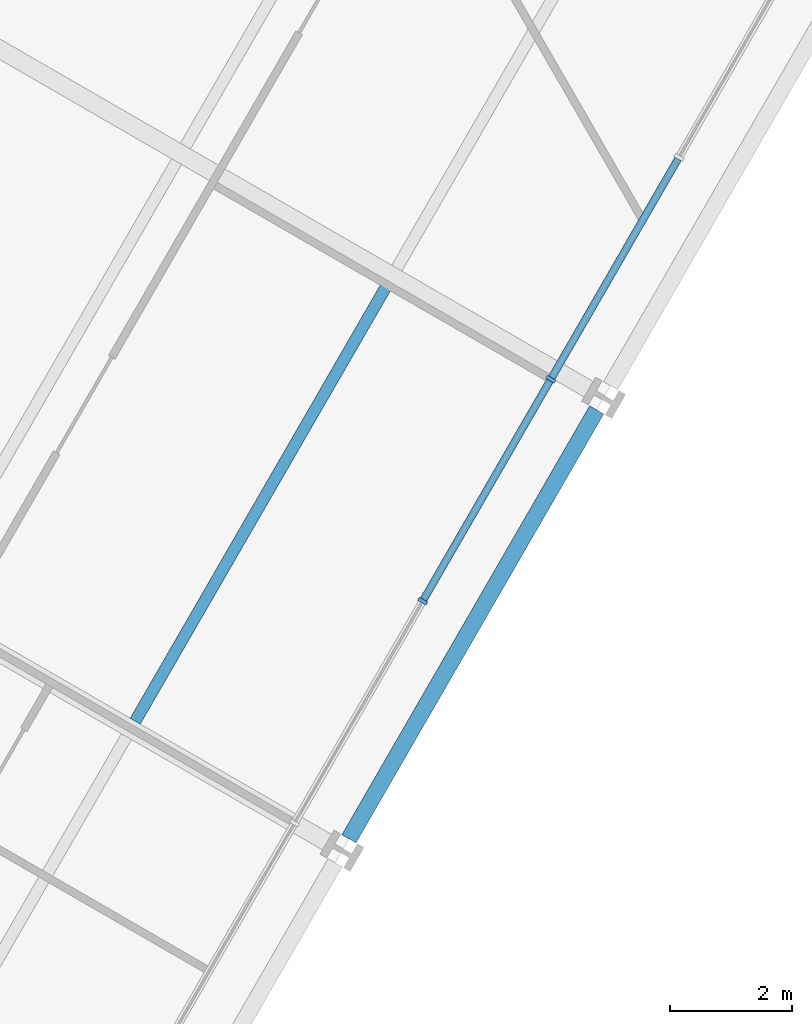
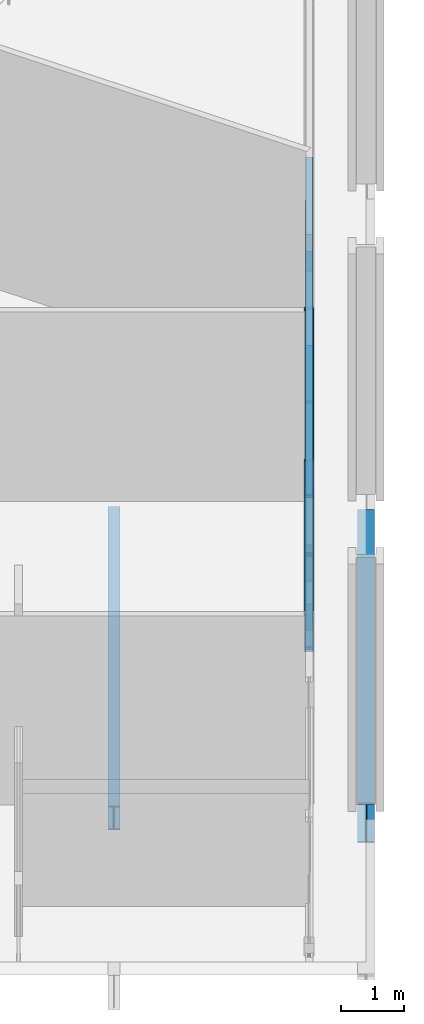
# One storey, part 5 of 18: 8 members, 2 beams, 1 element without a shape of its own.
"""IFC4 building model written with IfcOpenShell, lengths in metres."""

from ifc_helpers import new_model, si_unit, direction, frame, origin, origin_2d, place, context, subcontext, project, spatial, rectangle, i_section, extrude, material, layer, layer_set, material_profile, profile_set, type_object, element, aggregate, save


model = new_model("IFC4")

# Units and contexts
model_context = context("Model", 3, precision=1e-05, world=origin(), true_north=direction((0.0, 1.0)))
body_context = subcontext(model_context, "Body", "Model", "MODEL_VIEW")
ifc_project = project(units=[si_unit("LENGTHUNIT", "METRE"), si_unit("AREAUNIT", "SQUARE_METRE"), si_unit("VOLUMEUNIT", "CUBIC_METRE"), si_unit("PLANEANGLEUNIT", "RADIAN"), si_unit("MASSUNIT", "GRAM", prefix="KILO")], contexts=[model_context])

# Site, building, storey
site_placement = place(None, origin())
site = spatial("IfcSite", under=ifc_project, at=site_placement, CompositionType="ELEMENT")
building_placement = place(site_placement, origin())
building = spatial("IfcBuilding", under=site, at=building_placement, Name="Verrane Prism Tower", CompositionType="ELEMENT")
storey_placement = place(building_placement, frame((0.0, 0.0, 27.199951171875)))
storey = spatial("IfcBuildingStorey", under=building, at=storey_placement, Name="L04", CompositionType="ELEMENT", Elevation=27.199951171875)

# Curtain wall, members
ifc_material_1 = material(Name="Aluminium and glass curtain wall", Category="aluminium")
ifc_layer = layer(ifc_material_1, 0.199951171875)
ifc_layer_set = layer_set([ifc_layer], Name="CWB-1 retail curtain wall")
curtain_wall_type = type_object("IfcCurtainWallType", Name="CWB-1 retail curtain wall", PredefinedType="NOTDEFINED", material=ifc_layer_set)
curtain_wall_placement = place(storey_placement, origin())
curtain_wall = element("IfcCurtainWall", 1, at=curtain_wall_placement, inside=storey, type_object=curtain_wall_type, Name="Retail curtain wall L04 6", PredefinedType="NOTDEFINED")
ifc_material_2 = material(Name="Aluminium", Category="aluminium")
ifc_material_profile_1 = material_profile(ifc_material_2, rectangle(XDim=0.159912109375, YDim=0.06005859375, at=origin_2d()), Name="CWB-M 60x160 mullion")
ifc_profile_set_1 = profile_set([ifc_material_profile_1], Name="Aluminium")
member_type_1 = type_object("IfcMemberType", Name="CWB-M 60x160 mullion", PredefinedType="MULLION", material=ifc_profile_set_1)
member_1_placement = place(storey_placement, frame((19.64990234375, -6.505126953125, 0.0), z_axis=(0.0, 0.0, 1.0), x_axis=(-0.866025335097, 0.50000011897, 0.0)))
member_1 = element("IfcMember", 2, at=member_1_placement, type_object=member_type_1, Name="CWB46 mullion 8", PredefinedType="MULLION", context=body_context, shape_type="SweptSolid", body=[
    extrude(rectangle(XDim=0.159912109375, YDim=0.06005859375, at=origin_2d()), origin(), (0.0, 0.0, 1.0), 3.68994140625),
])
member_2_placement = place(storey_placement, frame((21.74560546875, -2.87548828125, 0.0), z_axis=(0.0, 0.0, 1.0), x_axis=(-0.866025335097, 0.50000011897, 0.0)))
member_2 = element("IfcMember", 3, at=member_2_placement, type_object=member_type_1, Name="CWB46 mullion 9", PredefinedType="MULLION", context=body_context, shape_type="SweptSolid", body=[
    extrude(rectangle(XDim=0.159912109375, YDim=0.06005859375, at=origin_2d()), origin(), (0.0, 0.0, 1.0), 3.68994140625),
])
ifc_material_3 = material(Name="Aluminium", Category="aluminium")
ifc_material_profile_2 = material_profile(ifc_material_3, rectangle(XDim=0.1201171875, YDim=0.06005859375, at=origin_2d()), Name="CWB-T 60x120 transom")
ifc_profile_set_2 = profile_set([ifc_material_profile_2], Name="Aluminium")
member_type_2 = type_object("IfcMemberType", Name="CWB-T 60x120 transom", PredefinedType="USERDEFINED", material=ifc_profile_set_2)
member_3_placement = place(storey_placement, frame((19.6650390625, -6.479248046875, 0.030029296875), z_axis=(0.499996977546, 0.866027148792, 0.0), x_axis=(-0.866027148792, 0.499996977546, 0.0)))
member_3 = element("IfcMember", 4, at=member_3_placement, type_object=member_type_2, Name="CWB46 transom 8.1", ObjectType="TRANSOM", PredefinedType="USERDEFINED", context=body_context, shape_type="SweptSolid", body=[
    extrude(rectangle(XDim=0.1201171875, YDim=0.06005859375, at=origin_2d()), origin(), (0.0, 0.0, 1.0), 4.13134765625),
])
member_4_placement = place(storey_placement, frame((19.6650390625, -6.479248046875, 1.844970703125), z_axis=(0.499996977546, 0.866027148792, 0.0), x_axis=(-0.866027148792, 0.499996977546, 0.0)))
member_4 = element("IfcMember", 5, at=member_4_placement, type_object=member_type_2, Name="CWB46 transom 8.2", ObjectType="TRANSOM", PredefinedType="USERDEFINED", context=body_context, shape_type="SweptSolid", body=[
    extrude(rectangle(XDim=0.1201171875, YDim=0.06005859375, at=origin_2d()), origin(), (0.0, 0.0, 1.0), 4.13134765625),
])
member_5_placement = place(storey_placement, frame((19.6650390625, -6.479248046875, 3.66015625), z_axis=(0.499996977546, 0.866027148792, 0.0), x_axis=(-0.866027148792, 0.499996977546, 0.0)))
member_5 = element("IfcMember", 6, at=member_5_placement, type_object=member_type_2, Name="CWB46 transom 8.3", ObjectType="TRANSOM", PredefinedType="USERDEFINED", context=body_context, shape_type="SweptSolid", body=[
    extrude(rectangle(XDim=0.1201171875, YDim=0.06005859375, at=origin_2d()), origin(), (0.0, 0.0, 1.0), 4.13134765625),
])
member_6_placement = place(storey_placement, frame((21.7607421875, -2.849365234375, 0.030029296875), z_axis=(0.500022567122, 0.866012374259, 0.0), x_axis=(-0.866012374259, 0.500022567122, 0.0)))
member_6 = element("IfcMember", 7, at=member_6_placement, type_object=member_type_2, Name="CWB46 transom 9.1", ObjectType="TRANSOM", PredefinedType="USERDEFINED", context=body_context, shape_type="SweptSolid", body=[
    extrude(rectangle(XDim=0.1201171875, YDim=0.06005859375, at=origin_2d()), origin(), (0.0, 0.0, 1.0), 4.131103515625),
])
member_7_placement = place(storey_placement, frame((21.7607421875, -2.849365234375, 1.844970703125), z_axis=(0.500022567122, 0.866012374259, 0.0), x_axis=(-0.866012374259, 0.500022567122, 0.0)))
member_7 = element("IfcMember", 8, at=member_7_placement, type_object=member_type_2, Name="CWB46 transom 9.2", ObjectType="TRANSOM", PredefinedType="USERDEFINED", context=body_context, shape_type="SweptSolid", body=[
    extrude(rectangle(XDim=0.1201171875, YDim=0.06005859375, at=origin_2d()), origin(), (0.0, 0.0, 1.0), 4.131103515625),
])
member_8_placement = place(storey_placement, frame((21.7607421875, -2.849365234375, 3.66015625), z_axis=(0.500022567122, 0.866012374259, 0.0), x_axis=(-0.866012374259, 0.500022567122, 0.0)))
member_8 = element("IfcMember", 9, at=member_8_placement, type_object=member_type_2, Name="CWB46 transom 9.3", ObjectType="TRANSOM", PredefinedType="USERDEFINED", context=body_context, shape_type="SweptSolid", body=[
    extrude(rectangle(XDim=0.1201171875, YDim=0.06005859375, at=origin_2d()), origin(), (0.0, 0.0, 1.0), 4.131103515625),
])
aggregate(curtain_wall, [member_1, member_2, member_3, member_4, member_5, member_6, member_7, member_8])

# Beams
ifc_material_4 = material(Name="Steel A992", Category="steel")
ifc_material_profile_3 = material_profile(ifc_material_4, i_section(OverallWidth=0.1904296875, OverallDepth=0.457275390625, WebThickness=0.009033203125, FlangeThickness=0.014404296875, FilletRadius=0.01025390625, at=origin_2d()), Name="W18x50")
ifc_profile_set_3 = profile_set([ifc_material_profile_3], Name="Steel A992")
beam_type_1 = type_object("IfcBeamType", Name="Floor beam W18x50", PredefinedType="BEAM", material=ifc_profile_set_3)
beam_1_placement = place(storey_placement, frame((14.947021484375, -8.46875, -0.388671875), z_axis=(0.500007931068, 0.866020824732, 0.0), x_axis=(-0.866020824732, 0.500007931068, 0.0)))
element("IfcBeam", 10, at=beam_1_placement, inside=storey, type_object=beam_type_1, Name="Floor beam L04", PredefinedType="BEAM", context=body_context, shape_type="SweptSolid", body=[
    extrude(i_section(OverallWidth=0.1904296875, OverallDepth=0.457275390625, WebThickness=0.009033203125, FlangeThickness=0.014404296875, FilletRadius=0.01025390625, at=origin_2d()), origin(), (0.0, 0.0, 1.0), 8.266357421875),
])
ifc_material_5 = material(Name="Steel A992", Category="steel")
ifc_material_profile_4 = material_profile(ifc_material_5, i_section(OverallWidth=0.2666015625, OverallDepth=0.76708984375, WebThickness=0.014892578125, FlangeThickness=0.023681640625, FilletRadius=0.0166015625, at=origin_2d()), Name="W30x124")
ifc_profile_set_4 = profile_set([ifc_material_profile_4], Name="Steel A992")
beam_type_2 = type_object("IfcBeamType", Name="Spandrel beam W30x124", PredefinedType="SPANDREL", material=ifc_profile_set_4)
beam_2_placement = place(storey_placement, frame((18.443603515625, -10.39306640625, -0.54345703125), z_axis=(0.500183217764, 0.865919597115, 0.0), x_axis=(-0.865919597115, 0.500183217764, 0.0)))
element("IfcBeam", 11, at=beam_2_placement, inside=storey, type_object=beam_type_2, Name="Spandrel beam L04", PredefinedType="SPANDREL", context=body_context, shape_type="SweptSolid", body=[
    extrude(i_section(OverallWidth=0.2666015625, OverallDepth=0.76708984375, WebThickness=0.014892578125, FlangeThickness=0.023681640625, FilletRadius=0.0166015625, at=origin_2d()), origin(), (0.0, 0.0, 1.0), 8.1025390625),
])

save(model, "model.ifc")
